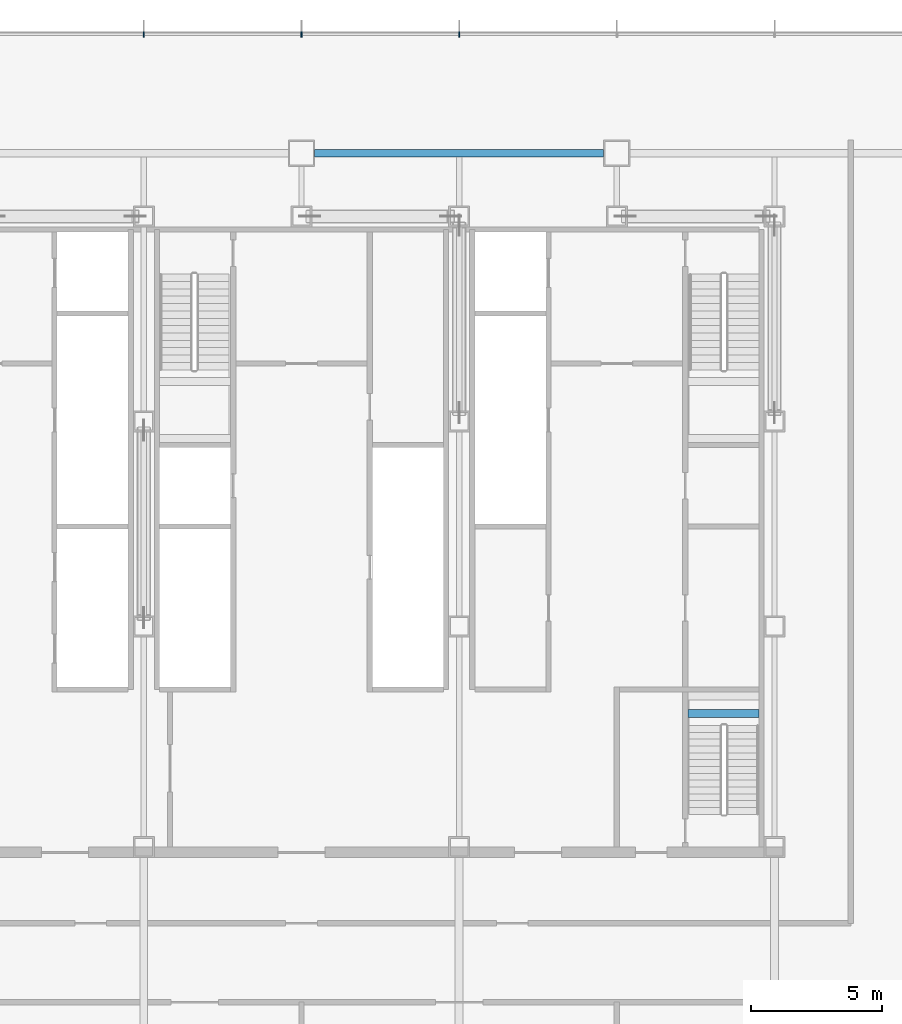
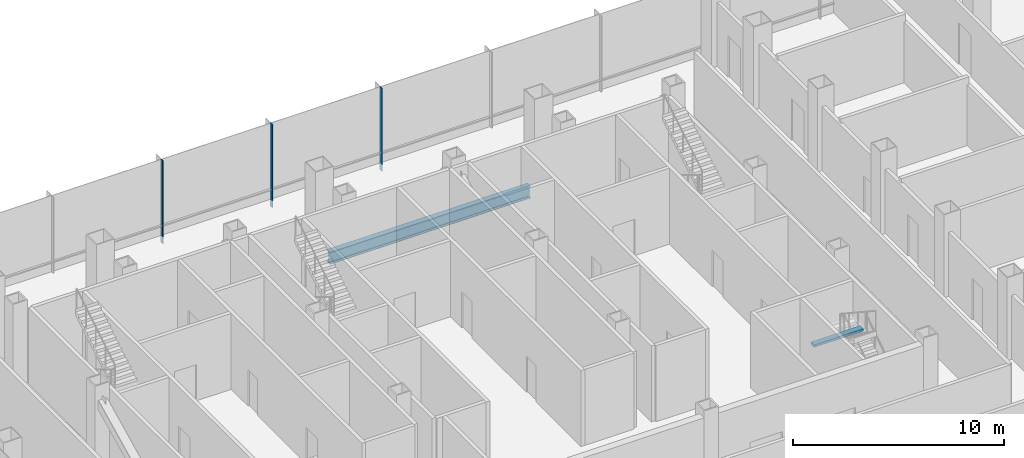
# One storey, part 14 of 33: 3 members, 2 beams, 1 element without a shape of its own.
"""IFC4 building model written with IfcOpenShell, lengths in metres."""

from ifc_helpers import new_model, si_unit, direction, frame, origin, origin_2d, place, context, subcontext, project, spatial, rectangle, i_section, extrude, material, material_profile, profile_set, type_object, element, aggregate, save


model = new_model("IFC4")

# Units and contexts
model_context = context("Model", 3, precision=1e-05, world=origin(), true_north=direction((0.0, 1.0)))
body_context = subcontext(model_context, "Body", "Model", "MODEL_VIEW")
ifc_project = project(units=[si_unit("LENGTHUNIT", "METRE"), si_unit("AREAUNIT", "SQUARE_METRE"), si_unit("VOLUMEUNIT", "CUBIC_METRE"), si_unit("PLANEANGLEUNIT", "RADIAN"), si_unit("MASSUNIT", "GRAM", prefix="KILO")], contexts=[model_context])

# Site, building, storey
site_placement = place(None, origin())
site = spatial("IfcSite", under=ifc_project, at=site_placement, CompositionType="ELEMENT")
building_placement = place(site_placement, origin())
building = spatial("IfcBuilding", under=site, at=building_placement, Name="Sorahane Residences", CompositionType="ELEMENT")
storey_placement = place(building_placement, frame((0.0, 0.0, 30.0)))
storey = spatial("IfcBuildingStorey", under=building, at=storey_placement, Name="L04", CompositionType="ELEMENT", Elevation=30.0)

# Curtain wall, members
ifc_material_1 = material(Name="Dark low-e glass and black anodised aluminium", Category="aluminium")
curtain_wall_type = type_object("IfcCurtainWallType", Name="Curtain wall CW-3 Podium unitised wall", PredefinedType="NOTDEFINED", material=ifc_material_1)
curtain_wall_placement = place(storey_placement, origin())
curtain_wall = element("IfcCurtainWall", 1, at=curtain_wall_placement, inside=storey, type_object=curtain_wall_type, Name="CW-3 curtain wall L04 N1", PredefinedType="NOTDEFINED")
ifc_material_2 = material(Name="Black anodised aluminium", Category="aluminium")
ifc_material_profile_1 = material_profile(ifc_material_2, rectangle(XDim=0.199951171875, YDim=0.050048828125, at=origin_2d()), Name="Curtain wall mullion CW-3 black anodised aluminium 50x200")
ifc_profile_set_1 = profile_set([ifc_material_profile_1], Name="Black anodised aluminium")
member_type = type_object("IfcMemberType", Name="Curtain wall mullion CW-3 black anodised aluminium 50x200", PredefinedType="MULLION", material=ifc_profile_set_1)
member_1_placement = place(storey_placement, frame((30.0, 52.52001953125, -0.39990234375), z_axis=(0.0, 0.0, 1.0), x_axis=(0.0, 1.0, 0.0)))
member_1 = element("IfcMember", 2, at=member_1_placement, type_object=member_type, Name="CW-3 mullion L04 N1.9", PredefinedType="MULLION", context=body_context, shape_type="SweptSolid", body=[
    extrude(rectangle(XDim=0.199951171875, YDim=0.050048828125, at=origin_2d()), origin(), (0.0, 0.0, 1.0), 4.7998046875),
])
member_2_placement = place(storey_placement, frame((24.0, 52.52001953125, -0.39990234375), z_axis=(0.0, 0.0, 1.0), x_axis=(0.0, 1.0, 0.0)))
member_2 = element("IfcMember", 3, at=member_2_placement, type_object=member_type, Name="CW-3 mullion L04 N1.10", PredefinedType="MULLION", context=body_context, shape_type="SweptSolid", body=[
    extrude(rectangle(XDim=0.199951171875, YDim=0.050048828125, at=origin_2d()), origin(), (0.0, 0.0, 1.0), 4.7998046875),
])
member_3_placement = place(storey_placement, frame((18.0, 52.52001953125, -0.39990234375), z_axis=(0.0, 0.0, 1.0), x_axis=(0.0, 1.0, 0.0)))
member_3 = element("IfcMember", 4, at=member_3_placement, type_object=member_type, Name="CW-3 mullion L04 N1.11", PredefinedType="MULLION", context=body_context, shape_type="SweptSolid", body=[
    extrude(rectangle(XDim=0.199951171875, YDim=0.050048828125, at=origin_2d()), origin(), (0.0, 0.0, 1.0), 4.7998046875),
])
aggregate(curtain_wall, [member_1, member_2, member_3])

# Beams
ifc_material_3 = material(Name="Concrete C40", Category="concrete")
ifc_material_profile_2 = material_profile(ifc_material_3, rectangle(XDim=0.300048828125, YDim=0.139892578125, at=origin_2d()), Name="300x140")
ifc_profile_set_2 = profile_set([ifc_material_profile_2], Name="Concrete C40")
beam_type_1 = type_object("IfcBeamType", Name="RC landing beam 300 x 140 Concrete C40", PredefinedType="BEAM", material=ifc_profile_set_2)
beam_1_placement = place(storey_placement, frame((38.699951171875, 26.679931640625, 2.1298828125), z_axis=(1.0, 0.0, 0.0), x_axis=(0.0, 1.0, 0.0)))
element("IfcBeam", 5, at=beam_1_placement, inside=storey, type_object=beam_type_1, Name="Landing beam", PredefinedType="BEAM", context=body_context, shape_type="SweptSolid", body=[
    extrude(rectangle(XDim=0.300048828125, YDim=0.139892578125, at=origin_2d()), origin(), (0.0, 0.0, 1.0), 2.699951171875),
])
ifc_material_4 = material(Name="Steel Q355B", Category="steel")
ifc_material_profile_3 = material_profile(ifc_material_4, i_section(OverallWidth=0.300048828125, OverallDepth=0.699951171875, WebThickness=0.012939453125, FlangeThickness=0.02392578125, FilletRadius=0.028076171875, at=origin_2d()), Name="HN 700x300x13x24")
ifc_profile_set_3 = profile_set([ifc_material_profile_3], Name="Steel Q355B")
beam_type_2 = type_object("IfcBeamType", Name="Steel floor beam HN 700x300x13x24 Q355B", PredefinedType="BEAM", material=ifc_profile_set_3)
beam_2_placement = place(storey_placement, frame((24.5, 48.0, -0.75), z_axis=(1.0, 0.0, 0.0), x_axis=(0.0, 1.0, 0.0)))
element("IfcBeam", 6, at=beam_2_placement, inside=storey, type_object=beam_type_2, Name="Beam L04 020", PredefinedType="BEAM", context=body_context, shape_type="SweptSolid", body=[
    extrude(i_section(OverallWidth=0.300048828125, OverallDepth=0.699951171875, WebThickness=0.012939453125, FlangeThickness=0.02392578125, FilletRadius=0.028076171875, at=origin_2d()), origin(), (0.0, 0.0, 1.0), 11.0),
])

save(model, "model.ifc")
